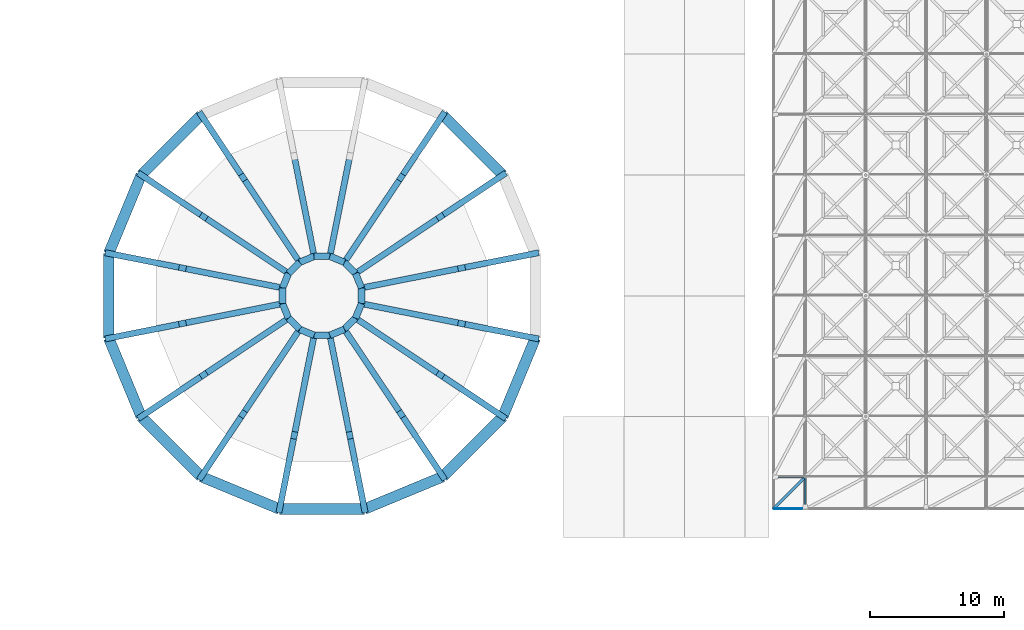
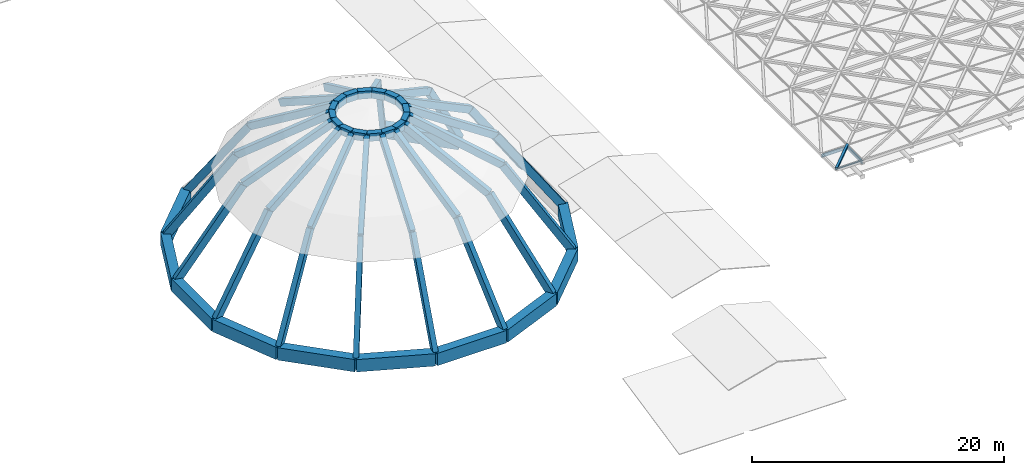
# One storey, part 1 of 80: 32 members, 29 beams, 1 element without a shape of its own.
"""IFC4 building model written with IfcOpenShell, lengths in metres."""

from ifc_helpers import new_model, si_unit, direction, frame, origin, origin_2d, place, context, subcontext, project, spatial, rectangle, hollow_rectangle, i_section, extrude, material, material_profile, profile_set, type_object, element, aggregate, save


model = new_model("IFC4")

# Units and contexts
model_context = context("Model", 3, precision=1e-05, world=origin(), true_north=direction((0.0, 1.0)))
body_context = subcontext(model_context, "Body", "Model", "MODEL_VIEW")
ifc_project = project(units=[si_unit("LENGTHUNIT", "METRE"), si_unit("AREAUNIT", "SQUARE_METRE"), si_unit("VOLUMEUNIT", "CUBIC_METRE"), si_unit("PLANEANGLEUNIT", "RADIAN"), si_unit("MASSUNIT", "GRAM", prefix="KILO"), si_unit("THERMODYNAMICTEMPERATUREUNIT", "KELVIN"), si_unit("POWERUNIT", "WATT")], contexts=[model_context])

# Site, building, storey
site_placement = place(None, origin())
site = spatial("IfcSite", under=ifc_project, at=site_placement, CompositionType="ELEMENT")
building_placement = place(site_placement, origin())
building = spatial("IfcBuilding", under=site, at=building_placement, Name="Tallowbark Science Centre", CompositionType="ELEMENT")
storey_placement = place(building_placement, frame((0.0, 0.0, 25.949951171875)))
storey = spatial("IfcBuildingStorey", under=building, at=storey_placement, Name="ROOF", CompositionType="ELEMENT", Elevation=25.949951171875)

# Beams
ifc_material_1 = material(Name="Concrete Grade N50 (50 MPa)", Category="concrete")
ifc_material_profile_1 = material_profile(ifc_material_1, rectangle(XDim=0.5, YDim=0.75, at=origin_2d()), Name="RC500x750")
ifc_profile_set_1 = profile_set([ifc_material_profile_1], Name="Concrete Grade N50 (50 MPa)")
beam_type_1 = type_object("IfcBeamType", Name="BM-OCU-N50", PredefinedType="SPANDREL", material=ifc_profile_set_1)
beam_1_placement = place(storey_placement, frame((25.4423828125, 18.585205078125, 7.800048828125), z_axis=(-0.382689470177, 0.923877031545, 0.0), x_axis=(-0.923877031545, -0.382689470177, 0.0)))
element("IfcBeam", 1, at=beam_1_placement, inside=storey, type_object=beam_type_1, Name="Dome Oculus Ring 1", PredefinedType="SPANDREL", context=body_context, shape_type="SweptSolid", body=[
    extrude(rectangle(XDim=0.5, YDim=0.75, at=origin_2d()), origin(), (0.0, 0.0, 1.0), 1.170654296875),
])
beam_2_placement = place(storey_placement, frame((24.994384765625, 19.666748046875, 7.800048828125), z_axis=(-0.707106781187, 0.707106781187, 0.0), x_axis=(-0.707106781187, -0.707106781187, 0.0)))
element("IfcBeam", 2, at=beam_2_placement, inside=storey, type_object=beam_type_1, Name="Dome Oculus Ring 2", PredefinedType="SPANDREL", context=body_context, shape_type="SweptSolid", body=[
    extrude(rectangle(XDim=0.5, YDim=0.75, at=origin_2d()), origin(), (0.0, 0.0, 1.0), 1.17041015625),
])
beam_3_placement = place(storey_placement, frame((24.166748046875, 20.494384765625, 7.800048828125), z_axis=(-0.923877031545, 0.382689470177, 0.0), x_axis=(-0.382689470177, -0.923877031545, 0.0)))
element("IfcBeam", 3, at=beam_3_placement, inside=storey, type_object=beam_type_1, Name="Dome Oculus Ring 3", PredefinedType="SPANDREL", context=body_context, shape_type="SweptSolid", body=[
    extrude(rectangle(XDim=0.5, YDim=0.75, at=origin_2d()), origin(), (0.0, 0.0, 1.0), 1.170654296875),
])
beam_4_placement = place(storey_placement, frame((23.085205078125, 20.9423828125, 7.800048828125), z_axis=(-1.0, 0.0, 0.0), x_axis=(0.0, -1.0, 0.0)))
element("IfcBeam", 4, at=beam_4_placement, inside=storey, type_object=beam_type_1, Name="Dome Oculus Ring 4", PredefinedType="SPANDREL", context=body_context, shape_type="SweptSolid", body=[
    extrude(rectangle(XDim=0.5, YDim=0.75, at=origin_2d()), origin(), (0.0, 0.0, 1.0), 1.17041015625),
])
beam_5_placement = place(storey_placement, frame((21.914794921875, 20.9423828125, 7.800048828125), z_axis=(-0.923877031545, -0.382689470177, 0.0), x_axis=(0.382689470177, -0.923877031545, 0.0)))
element("IfcBeam", 5, at=beam_5_placement, inside=storey, type_object=beam_type_1, Name="Dome Oculus Ring 5", PredefinedType="SPANDREL", context=body_context, shape_type="SweptSolid", body=[
    extrude(rectangle(XDim=0.5, YDim=0.75, at=origin_2d()), origin(), (0.0, 0.0, 1.0), 1.170654296875),
])
beam_6_placement = place(storey_placement, frame((20.833251953125, 20.494384765625, 7.800048828125), z_axis=(-0.707106781187, -0.707106781187, 0.0), x_axis=(0.707106781187, -0.707106781187, 0.0)))
element("IfcBeam", 6, at=beam_6_placement, inside=storey, type_object=beam_type_1, Name="Dome Oculus Ring 6", PredefinedType="SPANDREL", context=body_context, shape_type="SweptSolid", body=[
    extrude(rectangle(XDim=0.5, YDim=0.75, at=origin_2d()), origin(), (0.0, 0.0, 1.0), 1.17041015625),
])
beam_7_placement = place(storey_placement, frame((20.005615234375, 19.666748046875, 7.800048828125), z_axis=(-0.382689470177, -0.923877031545, 0.0), x_axis=(0.923877031545, -0.382689470177, 0.0)))
element("IfcBeam", 7, at=beam_7_placement, inside=storey, type_object=beam_type_1, Name="Dome Oculus Ring 7", PredefinedType="SPANDREL", context=body_context, shape_type="SweptSolid", body=[
    extrude(rectangle(XDim=0.5, YDim=0.75, at=origin_2d()), origin(), (0.0, 0.0, 1.0), 1.170654296875),
])
beam_8_placement = place(storey_placement, frame((19.5576171875, 18.585205078125, 7.800048828125), z_axis=(0.0, -1.0, 0.0), x_axis=(1.0, 0.0, 0.0)))
element("IfcBeam", 8, at=beam_8_placement, inside=storey, type_object=beam_type_1, Name="Dome Oculus Ring 8", PredefinedType="SPANDREL", context=body_context, shape_type="SweptSolid", body=[
    extrude(rectangle(XDim=0.5, YDim=0.75, at=origin_2d()), origin(), (0.0, 0.0, 1.0), 1.17041015625),
])
beam_9_placement = place(storey_placement, frame((19.5576171875, 17.414794921875, 7.800048828125), z_axis=(0.382689470177, -0.923877031545, 0.0), x_axis=(0.923877031545, 0.382689470177, 0.0)))
element("IfcBeam", 9, at=beam_9_placement, inside=storey, type_object=beam_type_1, Name="Dome Oculus Ring 9", PredefinedType="SPANDREL", context=body_context, shape_type="SweptSolid", body=[
    extrude(rectangle(XDim=0.5, YDim=0.75, at=origin_2d()), origin(), (0.0, 0.0, 1.0), 1.170654296875),
])
beam_10_placement = place(storey_placement, frame((20.005615234375, 16.333251953125, 7.800048828125), z_axis=(0.707106781187, -0.707106781187, 0.0), x_axis=(0.707106781187, 0.707106781187, 0.0)))
element("IfcBeam", 10, at=beam_10_placement, inside=storey, type_object=beam_type_1, Name="Dome Oculus Ring 10", PredefinedType="SPANDREL", context=body_context, shape_type="SweptSolid", body=[
    extrude(rectangle(XDim=0.5, YDim=0.75, at=origin_2d()), origin(), (0.0, 0.0, 1.0), 1.17041015625),
])
beam_11_placement = place(storey_placement, frame((20.833251953125, 15.505615234375, 7.800048828125), z_axis=(0.923877031545, -0.382689470177, 0.0), x_axis=(0.382689470177, 0.923877031545, 0.0)))
element("IfcBeam", 11, at=beam_11_placement, inside=storey, type_object=beam_type_1, Name="Dome Oculus Ring 11", PredefinedType="SPANDREL", context=body_context, shape_type="SweptSolid", body=[
    extrude(rectangle(XDim=0.5, YDim=0.75, at=origin_2d()), origin(), (0.0, 0.0, 1.0), 1.170654296875),
])
beam_12_placement = place(storey_placement, frame((21.914794921875, 15.0576171875, 7.800048828125), z_axis=(1.0, 0.0, 0.0), x_axis=(0.0, 1.0, 0.0)))
element("IfcBeam", 12, at=beam_12_placement, inside=storey, type_object=beam_type_1, Name="Dome Oculus Ring 12", PredefinedType="SPANDREL", context=body_context, shape_type="SweptSolid", body=[
    extrude(rectangle(XDim=0.5, YDim=0.75, at=origin_2d()), origin(), (0.0, 0.0, 1.0), 1.17041015625),
])
beam_13_placement = place(storey_placement, frame((23.085205078125, 15.0576171875, 7.800048828125), z_axis=(0.923877031545, 0.382689470177, 0.0), x_axis=(-0.382689470177, 0.923877031545, 0.0)))
element("IfcBeam", 13, at=beam_13_placement, inside=storey, type_object=beam_type_1, Name="Dome Oculus Ring 13", PredefinedType="SPANDREL", context=body_context, shape_type="SweptSolid", body=[
    extrude(rectangle(XDim=0.5, YDim=0.75, at=origin_2d()), origin(), (0.0, 0.0, 1.0), 1.170654296875),
])
beam_14_placement = place(storey_placement, frame((24.166748046875, 15.505615234375, 7.800048828125), z_axis=(0.707106781187, 0.707106781187, 0.0), x_axis=(-0.707106781187, 0.707106781187, 0.0)))
element("IfcBeam", 14, at=beam_14_placement, inside=storey, type_object=beam_type_1, Name="Dome Oculus Ring 14", PredefinedType="SPANDREL", context=body_context, shape_type="SweptSolid", body=[
    extrude(rectangle(XDim=0.5, YDim=0.75, at=origin_2d()), origin(), (0.0, 0.0, 1.0), 1.17041015625),
])
beam_15_placement = place(storey_placement, frame((24.994384765625, 16.333251953125, 7.800048828125), z_axis=(0.382689470177, 0.923877031545, 0.0), x_axis=(-0.923877031545, 0.382689470177, 0.0)))
element("IfcBeam", 15, at=beam_15_placement, inside=storey, type_object=beam_type_1, Name="Dome Oculus Ring 15", PredefinedType="SPANDREL", context=body_context, shape_type="SweptSolid", body=[
    extrude(rectangle(XDim=0.5, YDim=0.75, at=origin_2d()), origin(), (0.0, 0.0, 1.0), 1.170654296875),
])
beam_16_placement = place(storey_placement, frame((25.4423828125, 17.414794921875, 7.800048828125), z_axis=(0.0, 1.0, 0.0), x_axis=(-1.0, 0.0, 0.0)))
element("IfcBeam", 16, at=beam_16_placement, inside=storey, type_object=beam_type_1, Name="Dome Oculus Ring 16", PredefinedType="SPANDREL", context=body_context, shape_type="SweptSolid", body=[
    extrude(rectangle(XDim=0.5, YDim=0.75, at=origin_2d()), origin(), (0.0, 0.0, 1.0), 1.17041015625),
])
ifc_material_2 = material(Name="White Architectural Painted Steel Grade C350L0 (350 MPa)", Category="steel")
ifc_material_profile_2 = material_profile(ifc_material_2, i_section(OverallWidth=0.146484375, OverallDepth=0.256103515625, WebThickness=0.00634765625, FlangeThickness=0.010986328125, FilletRadius=0.0087890625, at=origin_2d()), Name="250UB37.3")
ifc_profile_set_2 = profile_set([ifc_material_profile_2], Name="White Architectural Painted Steel Grade C350L0 (350 MPa)")
beam_type_2 = type_object("IfcBeamType", Name="BM-OUT250", PredefinedType="BEAM", material=ifc_profile_set_2)
for number, where, z_axis, x_axis, name in (
    (17, (58.5, 4.5, 0.199951171875), (0.0, -1.0, 0.0), (1.0, 0.0, 0.0), "Star Screen Outrigger Tie Beam S-101"),
    (18, (58.5, 4.5, 0.199951171875), (-1.0, 0.0, 0.0), (0.0, -1.0, 0.0), "Star Screen Outrigger Tie Beam W-113"),
):
    element("IfcBeam", number, at=place(storey_placement, frame(where, z_axis=z_axis, x_axis=x_axis)), inside=storey, type_object=beam_type_2, Name=name, PredefinedType="BEAM", context=body_context, shape_type="SweptSolid", body=[
        extrude(i_section(OverallWidth=0.146484375, OverallDepth=0.256103515625, WebThickness=0.00634765625, FlangeThickness=0.010986328125, FilletRadius=0.0087890625, at=origin_2d()), origin(), (0.0, 0.0, 1.0), 2.39990234375),
    ])
ifc_material_profile_3 = material_profile(ifc_material_1, rectangle(XDim=0.800048828125, YDim=1.199951171875, at=origin_2d()), Name="RC800x1200")
ifc_profile_set_3 = profile_set([ifc_material_profile_3], Name="Concrete Grade N50 (50 MPa)")
beam_type_3 = type_object("IfcBeamType", Name="BM-RING-N50", PredefinedType="SPANDREL", material=ifc_profile_set_3)
for number, where, z_axis, x_axis, name in (
    (19, (35.9697265625, 27.000244140625, -4.949951171875), (-0.707106781187, 0.707106781187, 0.0), (-0.707106781187, -0.707106781187, 0.0), "Planetarium Ring Beam ROOF-2"),
    (20, (13.499755859375, 31.4697265625, -4.949951171875), (-0.707106781187, -0.707106781187, 0.0), (0.707106781187, -0.707106781187, 0.0), "Planetarium Ring Beam ROOF-6"),
):
    element("IfcBeam", number, at=place(storey_placement, frame(where, z_axis=z_axis, x_axis=x_axis)), inside=storey, type_object=beam_type_3, Name=name, PredefinedType="SPANDREL", context=body_context, shape_type="SweptSolid", body=[
        extrude(rectangle(XDim=0.800048828125, YDim=1.199951171875, at=origin_2d()), origin(), (0.0, 0.0, 1.0), 6.32080078125),
    ])
beam_17_placement = place(storey_placement, frame((9.0302734375, 27.000244140625, -4.949951171875), z_axis=(-0.382683814393, -0.92387937427, 0.0), x_axis=(0.92387937427, -0.382683814393, 0.0)))
element("IfcBeam", 21, at=beam_17_placement, inside=storey, type_object=beam_type_3, Name="Planetarium Ring Beam ROOF-7", PredefinedType="SPANDREL", context=body_context, shape_type="SweptSolid", body=[
    extrude(rectangle(XDim=0.800048828125, YDim=1.199951171875, at=origin_2d()), origin(), (0.0, 0.0, 1.0), 6.321044921875),
])
beam_18_placement = place(storey_placement, frame((6.611328125, 21.160400390625, -4.949951171875), z_axis=(0.0, -1.0, 0.0), x_axis=(1.0, 0.0, 0.0)))
element("IfcBeam", 22, at=beam_18_placement, inside=storey, type_object=beam_type_3, Name="Planetarium Ring Beam ROOF-8", PredefinedType="SPANDREL", context=body_context, shape_type="SweptSolid", body=[
    extrude(rectangle(XDim=0.800048828125, YDim=1.199951171875, at=origin_2d()), origin(), (0.0, 0.0, 1.0), 6.32080078125),
])
beam_19_placement = place(storey_placement, frame((6.611328125, 14.839599609375, -4.949951171875), z_axis=(0.382683814393, -0.92387937427, 0.0), x_axis=(0.92387937427, 0.382683814393, 0.0)))
element("IfcBeam", 23, at=beam_19_placement, inside=storey, type_object=beam_type_3, Name="Planetarium Ring Beam ROOF-9", PredefinedType="SPANDREL", context=body_context, shape_type="SweptSolid", body=[
    extrude(rectangle(XDim=0.800048828125, YDim=1.199951171875, at=origin_2d()), origin(), (0.0, 0.0, 1.0), 6.321044921875),
])
beam_20_placement = place(storey_placement, frame((9.0302734375, 8.999755859375, -4.949951171875), z_axis=(0.707106781187, -0.707106781187, 0.0), x_axis=(0.707106781187, 0.707106781187, 0.0)))
element("IfcBeam", 24, at=beam_20_placement, inside=storey, type_object=beam_type_3, Name="Planetarium Ring Beam ROOF-10", PredefinedType="SPANDREL", context=body_context, shape_type="SweptSolid", body=[
    extrude(rectangle(XDim=0.800048828125, YDim=1.199951171875, at=origin_2d()), origin(), (0.0, 0.0, 1.0), 6.32080078125),
])
beam_21_placement = place(storey_placement, frame((13.499755859375, 4.5302734375, -4.949951171875), z_axis=(0.92387937427, -0.382683814393, 0.0), x_axis=(0.382683814393, 0.92387937427, 0.0)))
element("IfcBeam", 25, at=beam_21_placement, inside=storey, type_object=beam_type_3, Name="Planetarium Ring Beam ROOF-11", PredefinedType="SPANDREL", context=body_context, shape_type="SweptSolid", body=[
    extrude(rectangle(XDim=0.800048828125, YDim=1.199951171875, at=origin_2d()), origin(), (0.0, 0.0, 1.0), 6.321044921875),
])
beam_22_placement = place(storey_placement, frame((19.339599609375, 2.111328125, -4.949951171875), z_axis=(1.0, 0.0, 0.0), x_axis=(0.0, 1.0, 0.0)))
element("IfcBeam", 26, at=beam_22_placement, inside=storey, type_object=beam_type_3, Name="Planetarium Ring Beam ROOF-12", PredefinedType="SPANDREL", context=body_context, shape_type="SweptSolid", body=[
    extrude(rectangle(XDim=0.800048828125, YDim=1.199951171875, at=origin_2d()), origin(), (0.0, 0.0, 1.0), 6.32080078125),
])
beam_23_placement = place(storey_placement, frame((25.660400390625, 2.111328125, -4.949951171875), z_axis=(0.92387937427, 0.382683814393, 0.0), x_axis=(-0.382683814393, 0.92387937427, 0.0)))
element("IfcBeam", 27, at=beam_23_placement, inside=storey, type_object=beam_type_3, Name="Planetarium Ring Beam ROOF-13", PredefinedType="SPANDREL", context=body_context, shape_type="SweptSolid", body=[
    extrude(rectangle(XDim=0.800048828125, YDim=1.199951171875, at=origin_2d()), origin(), (0.0, 0.0, 1.0), 6.321044921875),
])
beam_24_placement = place(storey_placement, frame((31.500244140625, 4.5302734375, -4.949951171875), z_axis=(0.707106781187, 0.707106781187, 0.0), x_axis=(-0.707106781187, 0.707106781187, 0.0)))
element("IfcBeam", 28, at=beam_24_placement, inside=storey, type_object=beam_type_3, Name="Planetarium Ring Beam ROOF-14", PredefinedType="SPANDREL", context=body_context, shape_type="SweptSolid", body=[
    extrude(rectangle(XDim=0.800048828125, YDim=1.199951171875, at=origin_2d()), origin(), (0.0, 0.0, 1.0), 6.32080078125),
])
beam_25_placement = place(storey_placement, frame((35.9697265625, 8.999755859375, -4.949951171875), z_axis=(0.382683814393, 0.92387937427, 0.0), x_axis=(-0.92387937427, 0.382683814393, 0.0)))
element("IfcBeam", 29, at=beam_25_placement, inside=storey, type_object=beam_type_3, Name="Planetarium Ring Beam ROOF-15", PredefinedType="SPANDREL", context=body_context, shape_type="SweptSolid", body=[
    extrude(rectangle(XDim=0.800048828125, YDim=1.199951171875, at=origin_2d()), origin(), (0.0, 0.0, 1.0), 6.321044921875),
])

# Curtain wall, member
ifc_material_3 = material(Name="Blue-Tinted Laminated Low-E Skylight Glass", Category="glass")
curtain_wall_type = type_object("IfcCurtainWallType", Name="CW-SKY-ROOF", PredefinedType="NOTDEFINED", material=ifc_material_3)
curtain_wall_placement = place(storey_placement, origin())
curtain_wall = element("IfcCurtainWall", 30, at=curtain_wall_placement, inside=storey, type_object=curtain_wall_type, Name="Exhibition Star-Screen Skylight Bay 1", PredefinedType="NOTDEFINED")
ifc_material_4 = material(Name="Anodised Architectural Aluminium Alloy 6063-T6", Category="aluminium")
ifc_material_profile_4 = material_profile(ifc_material_4, rectangle(XDim=0.054931640625, YDim=0.1201171875, at=origin_2d()), Name="ALU55x120")
ifc_profile_set_4 = profile_set([ifc_material_profile_4], Name="Anodised Architectural Aluminium Alloy 6063-T6")
member_type_1 = type_object("IfcMemberType", Name="CWM-SKY-TRN", PredefinedType="USERDEFINED", material=ifc_profile_set_4)
member_1_placement = place(storey_placement, frame((56.179931640625, 2.139892578125, 0.35205078125), z_axis=(1.0, 0.0, 0.0), x_axis=(0.0, 1.0, 0.0)))
member_1 = element("IfcMember", 31, at=member_1_placement, type_object=member_type_1, Name="Skylight Bay 1 Transom 1", ObjectType="TRANSOM", PredefinedType="USERDEFINED", context=body_context, shape_type="SweptSolid", body=[
    extrude(rectangle(XDim=0.054931640625, YDim=0.1201171875, at=origin_2d()), origin(), (0.0, 0.0, 1.0), 2.239990234375),
])
aggregate(curtain_wall, [member_1])

# Members
ifc_material_profile_5 = material_profile(ifc_material_1, rectangle(XDim=0.449951171875, YDim=0.64990234375, at=origin_2d()), Name="RC450x650")
ifc_profile_set_5 = profile_set([ifc_material_profile_5], Name="Concrete Grade N50 (50 MPa)")
member_type_2 = type_object("IfcMemberType", Name="DOM-RIB-N50", PredefinedType="USERDEFINED", material=ifc_profile_set_5)
member_2_placement = place(storey_placement, frame((38.388671875, 21.160400390625, -4.64990234375), z_axis=(-0.557763799066, -0.110947815301, 0.822550987314), x_axis=(0.195093193483, -0.980784709228, 0.0)))
element("IfcMember", 32, at=member_2_placement, inside=storey, type_object=member_type_2, Name="Planetarium Concrete Arch Rib Lower 1", ObjectType="ARCH RIB", PredefinedType="USERDEFINED", context=body_context, shape_type="SweptSolid", body=[
    extrude(rectangle(XDim=0.449951171875, YDim=0.64990234375, at=origin_2d()), origin(), (0.0, 0.0, 1.0), 9.84716796875),
])
member_3_placement = place(storey_placement, frame((32.896240234375, 20.06787109375, 3.449951171875), z_axis=(-0.851207396881, -0.169315859987, 0.496767659023), x_axis=(0.195090523233, -0.980785240379, 0.0)))
element("IfcMember", 33, at=member_3_placement, inside=storey, type_object=member_type_2, Name="Planetarium Concrete Arch Rib Upper 1", ObjectType="ARCH RIB", PredefinedType="USERDEFINED", context=body_context, shape_type="SweptSolid", body=[
    extrude(rectangle(XDim=0.449951171875, YDim=0.64990234375, at=origin_2d()), origin(), (0.0, 0.0, 1.0), 8.7568359375),
])
member_4_placement = place(storey_placement, frame((35.9697265625, 27.000244140625, -4.64990234375), z_axis=(-0.47285067023, -0.315936246369, 0.822554880779), x_axis=(0.555555072865, -0.831479741794, 0.0)))
element("IfcMember", 34, at=member_4_placement, inside=storey, type_object=member_type_2, Name="Planetarium Concrete Arch Rib Lower 2", ObjectType="ARCH RIB", PredefinedType="USERDEFINED", context=body_context, shape_type="SweptSolid", body=[
    extrude(rectangle(XDim=0.449951171875, YDim=0.64990234375, at=origin_2d()), origin(), (0.0, 0.0, 1.0), 9.84716796875),
])
member_5_placement = place(storey_placement, frame((31.3134765625, 23.88916015625, 3.449951171875), z_axis=(-0.721614113015, -0.482181975992, 0.496763136642), x_axis=(0.555582054907, -0.831461713048, 0.0)))
element("IfcMember", 35, at=member_5_placement, inside=storey, type_object=member_type_2, Name="Planetarium Concrete Arch Rib Upper 2", ObjectType="ARCH RIB", PredefinedType="USERDEFINED", context=body_context, shape_type="SweptSolid", body=[
    extrude(rectangle(XDim=0.449951171875, YDim=0.64990234375, at=origin_2d()), origin(), (0.0, 0.0, 1.0), 8.7568359375),
])
member_6_placement = place(storey_placement, frame((31.500244140625, 31.4697265625, -4.64990234375), z_axis=(-0.315936246369, -0.47285067023, 0.822554880779), x_axis=(0.831479741794, -0.555555072865, 0.0)))
element("IfcMember", 36, at=member_6_placement, inside=storey, type_object=member_type_2, Name="Planetarium Concrete Arch Rib Lower 3", ObjectType="ARCH RIB", PredefinedType="USERDEFINED", context=body_context, shape_type="SweptSolid", body=[
    extrude(rectangle(XDim=0.449951171875, YDim=0.64990234375, at=origin_2d()), origin(), (0.0, 0.0, 1.0), 9.84716796875),
])
for number, where, z_axis, x_axis, name in (
    (37, (28.38916015625, 26.8134765625, 3.449951171875), (-0.482181975992, -0.721614113015, 0.496763136642), (0.831461713048, -0.555582054907, 0.0), "Planetarium Concrete Arch Rib Upper 3"),
    (38, (24.56787109375, 28.396240234375, 3.449951171875), (-0.169315859987, -0.851207396881, 0.496767659023), (0.980785240379, -0.195090523233, 0.0), "Planetarium Concrete Arch Rib Upper 4"),
    (39, (20.43212890625, 28.396240234375, 3.449951171875), (0.169315859987, -0.851207396881, 0.496767659023), (0.980785240379, 0.195090523233, 0.0), "Planetarium Concrete Arch Rib Upper 5"),
):
    element("IfcMember", number, at=place(storey_placement, frame(where, z_axis=z_axis, x_axis=x_axis)), inside=storey, type_object=member_type_2, Name=name, ObjectType="ARCH RIB", PredefinedType="USERDEFINED", context=body_context, shape_type="SweptSolid", body=[
        extrude(rectangle(XDim=0.449951171875, YDim=0.64990234375, at=origin_2d()), origin(), (0.0, 0.0, 1.0), 8.7568359375),
    ])
member_7_placement = place(storey_placement, frame((13.499755859375, 31.4697265625, -4.64990234375), z_axis=(0.315936246369, -0.47285067023, 0.822554880779), x_axis=(0.831479741794, 0.555555072865, 0.0)))
element("IfcMember", 40, at=member_7_placement, inside=storey, type_object=member_type_2, Name="Planetarium Concrete Arch Rib Lower 6", ObjectType="ARCH RIB", PredefinedType="USERDEFINED", context=body_context, shape_type="SweptSolid", body=[
    extrude(rectangle(XDim=0.449951171875, YDim=0.64990234375, at=origin_2d()), origin(), (0.0, 0.0, 1.0), 9.84716796875),
])
member_8_placement = place(storey_placement, frame((16.61083984375, 26.8134765625, 3.449951171875), z_axis=(0.482181975992, -0.721614113015, 0.496763136642), x_axis=(0.831461713048, 0.555582054907, 0.0)))
element("IfcMember", 41, at=member_8_placement, inside=storey, type_object=member_type_2, Name="Planetarium Concrete Arch Rib Upper 6", ObjectType="ARCH RIB", PredefinedType="USERDEFINED", context=body_context, shape_type="SweptSolid", body=[
    extrude(rectangle(XDim=0.449951171875, YDim=0.64990234375, at=origin_2d()), origin(), (0.0, 0.0, 1.0), 8.7568359375),
])
member_9_placement = place(storey_placement, frame((9.0302734375, 27.000244140625, -4.64990234375), z_axis=(0.47285067023, -0.315936246369, 0.822554880779), x_axis=(0.555555072865, 0.831479741794, 0.0)))
element("IfcMember", 42, at=member_9_placement, inside=storey, type_object=member_type_2, Name="Planetarium Concrete Arch Rib Lower 7", ObjectType="ARCH RIB", PredefinedType="USERDEFINED", context=body_context, shape_type="SweptSolid", body=[
    extrude(rectangle(XDim=0.449951171875, YDim=0.64990234375, at=origin_2d()), origin(), (0.0, 0.0, 1.0), 9.84716796875),
])
member_10_placement = place(storey_placement, frame((13.6865234375, 23.88916015625, 3.449951171875), z_axis=(0.721614113015, -0.482181975992, 0.496763136642), x_axis=(0.555582054907, 0.831461713048, 0.0)))
element("IfcMember", 43, at=member_10_placement, inside=storey, type_object=member_type_2, Name="Planetarium Concrete Arch Rib Upper 7", ObjectType="ARCH RIB", PredefinedType="USERDEFINED", context=body_context, shape_type="SweptSolid", body=[
    extrude(rectangle(XDim=0.449951171875, YDim=0.64990234375, at=origin_2d()), origin(), (0.0, 0.0, 1.0), 8.7568359375),
])
member_11_placement = place(storey_placement, frame((6.611328125, 21.160400390625, -4.64990234375), z_axis=(0.557763799066, -0.110947815301, 0.822550987314), x_axis=(0.195093193483, 0.980784709228, 0.0)))
element("IfcMember", 44, at=member_11_placement, inside=storey, type_object=member_type_2, Name="Planetarium Concrete Arch Rib Lower 8", ObjectType="ARCH RIB", PredefinedType="USERDEFINED", context=body_context, shape_type="SweptSolid", body=[
    extrude(rectangle(XDim=0.449951171875, YDim=0.64990234375, at=origin_2d()), origin(), (0.0, 0.0, 1.0), 9.84716796875),
])
member_12_placement = place(storey_placement, frame((12.103759765625, 20.06787109375, 3.449951171875), z_axis=(0.851207396881, -0.169315859987, 0.496767659023), x_axis=(0.195090523233, 0.980785240379, 0.0)))
element("IfcMember", 45, at=member_12_placement, inside=storey, type_object=member_type_2, Name="Planetarium Concrete Arch Rib Upper 8", ObjectType="ARCH RIB", PredefinedType="USERDEFINED", context=body_context, shape_type="SweptSolid", body=[
    extrude(rectangle(XDim=0.449951171875, YDim=0.64990234375, at=origin_2d()), origin(), (0.0, 0.0, 1.0), 8.7568359375),
])
member_13_placement = place(storey_placement, frame((6.611328125, 14.839599609375, -4.64990234375), z_axis=(0.557763799066, 0.110947815301, 0.822550987314), x_axis=(-0.195093193483, 0.980784709228, 0.0)))
element("IfcMember", 46, at=member_13_placement, inside=storey, type_object=member_type_2, Name="Planetarium Concrete Arch Rib Lower 9", ObjectType="ARCH RIB", PredefinedType="USERDEFINED", context=body_context, shape_type="SweptSolid", body=[
    extrude(rectangle(XDim=0.449951171875, YDim=0.64990234375, at=origin_2d()), origin(), (0.0, 0.0, 1.0), 9.84716796875),
])
member_14_placement = place(storey_placement, frame((12.103759765625, 15.93212890625, 3.449951171875), z_axis=(0.851207396881, 0.169315859987, 0.496767659023), x_axis=(-0.195090523233, 0.980785240379, 0.0)))
element("IfcMember", 47, at=member_14_placement, inside=storey, type_object=member_type_2, Name="Planetarium Concrete Arch Rib Upper 9", ObjectType="ARCH RIB", PredefinedType="USERDEFINED", context=body_context, shape_type="SweptSolid", body=[
    extrude(rectangle(XDim=0.449951171875, YDim=0.64990234375, at=origin_2d()), origin(), (0.0, 0.0, 1.0), 8.7568359375),
])
member_15_placement = place(storey_placement, frame((9.0302734375, 8.999755859375, -4.64990234375), z_axis=(0.47285067023, 0.315936246369, 0.822554880779), x_axis=(-0.555555072865, 0.831479741794, 0.0)))
element("IfcMember", 48, at=member_15_placement, inside=storey, type_object=member_type_2, Name="Planetarium Concrete Arch Rib Lower 10", ObjectType="ARCH RIB", PredefinedType="USERDEFINED", context=body_context, shape_type="SweptSolid", body=[
    extrude(rectangle(XDim=0.449951171875, YDim=0.64990234375, at=origin_2d()), origin(), (0.0, 0.0, 1.0), 9.84716796875),
])
member_16_placement = place(storey_placement, frame((13.6865234375, 12.11083984375, 3.449951171875), z_axis=(0.721614113015, 0.482181975992, 0.496763136642), x_axis=(-0.555582054907, 0.831461713048, 0.0)))
element("IfcMember", 49, at=member_16_placement, inside=storey, type_object=member_type_2, Name="Planetarium Concrete Arch Rib Upper 10", ObjectType="ARCH RIB", PredefinedType="USERDEFINED", context=body_context, shape_type="SweptSolid", body=[
    extrude(rectangle(XDim=0.449951171875, YDim=0.64990234375, at=origin_2d()), origin(), (0.0, 0.0, 1.0), 8.7568359375),
])
member_17_placement = place(storey_placement, frame((13.499755859375, 4.5302734375, -4.64990234375), z_axis=(0.315936246369, 0.47285067023, 0.822554880779), x_axis=(-0.831479741794, 0.555555072865, 0.0)))
element("IfcMember", 50, at=member_17_placement, inside=storey, type_object=member_type_2, Name="Planetarium Concrete Arch Rib Lower 11", ObjectType="ARCH RIB", PredefinedType="USERDEFINED", context=body_context, shape_type="SweptSolid", body=[
    extrude(rectangle(XDim=0.449951171875, YDim=0.64990234375, at=origin_2d()), origin(), (0.0, 0.0, 1.0), 9.84716796875),
])
member_18_placement = place(storey_placement, frame((16.61083984375, 9.1865234375, 3.449951171875), z_axis=(0.482181975992, 0.721614113015, 0.496763136642), x_axis=(-0.831461713048, 0.555582054907, 0.0)))
element("IfcMember", 51, at=member_18_placement, inside=storey, type_object=member_type_2, Name="Planetarium Concrete Arch Rib Upper 11", ObjectType="ARCH RIB", PredefinedType="USERDEFINED", context=body_context, shape_type="SweptSolid", body=[
    extrude(rectangle(XDim=0.449951171875, YDim=0.64990234375, at=origin_2d()), origin(), (0.0, 0.0, 1.0), 8.7568359375),
])
member_19_placement = place(storey_placement, frame((19.339599609375, 2.111328125, -4.64990234375), z_axis=(0.110947815301, 0.557763799066, 0.822550987314), x_axis=(-0.980784709228, 0.195093193483, 0.0)))
element("IfcMember", 52, at=member_19_placement, inside=storey, type_object=member_type_2, Name="Planetarium Concrete Arch Rib Lower 12", ObjectType="ARCH RIB", PredefinedType="USERDEFINED", context=body_context, shape_type="SweptSolid", body=[
    extrude(rectangle(XDim=0.449951171875, YDim=0.64990234375, at=origin_2d()), origin(), (0.0, 0.0, 1.0), 9.84716796875),
])
member_20_placement = place(storey_placement, frame((20.43212890625, 7.603759765625, 3.449951171875), z_axis=(0.169315859987, 0.851207396881, 0.496767659023), x_axis=(-0.980785240379, 0.195090523233, 0.0)))
element("IfcMember", 53, at=member_20_placement, inside=storey, type_object=member_type_2, Name="Planetarium Concrete Arch Rib Upper 12", ObjectType="ARCH RIB", PredefinedType="USERDEFINED", context=body_context, shape_type="SweptSolid", body=[
    extrude(rectangle(XDim=0.449951171875, YDim=0.64990234375, at=origin_2d()), origin(), (0.0, 0.0, 1.0), 8.7568359375),
])
member_21_placement = place(storey_placement, frame((25.660400390625, 2.111328125, -4.64990234375), z_axis=(-0.110947815301, 0.557763799066, 0.822550987314), x_axis=(-0.980784709228, -0.195093193483, 0.0)))
element("IfcMember", 54, at=member_21_placement, inside=storey, type_object=member_type_2, Name="Planetarium Concrete Arch Rib Lower 13", ObjectType="ARCH RIB", PredefinedType="USERDEFINED", context=body_context, shape_type="SweptSolid", body=[
    extrude(rectangle(XDim=0.449951171875, YDim=0.64990234375, at=origin_2d()), origin(), (0.0, 0.0, 1.0), 9.84716796875),
])
member_22_placement = place(storey_placement, frame((24.56787109375, 7.603759765625, 3.449951171875), z_axis=(-0.169315859987, 0.851207396881, 0.496767659023), x_axis=(-0.980785240379, -0.195090523233, 0.0)))
element("IfcMember", 55, at=member_22_placement, inside=storey, type_object=member_type_2, Name="Planetarium Concrete Arch Rib Upper 13", ObjectType="ARCH RIB", PredefinedType="USERDEFINED", context=body_context, shape_type="SweptSolid", body=[
    extrude(rectangle(XDim=0.449951171875, YDim=0.64990234375, at=origin_2d()), origin(), (0.0, 0.0, 1.0), 8.7568359375),
])
member_23_placement = place(storey_placement, frame((31.500244140625, 4.5302734375, -4.64990234375), z_axis=(-0.315936246369, 0.47285067023, 0.822554880779), x_axis=(-0.831479741794, -0.555555072865, 0.0)))
element("IfcMember", 56, at=member_23_placement, inside=storey, type_object=member_type_2, Name="Planetarium Concrete Arch Rib Lower 14", ObjectType="ARCH RIB", PredefinedType="USERDEFINED", context=body_context, shape_type="SweptSolid", body=[
    extrude(rectangle(XDim=0.449951171875, YDim=0.64990234375, at=origin_2d()), origin(), (0.0, 0.0, 1.0), 9.84716796875),
])
member_24_placement = place(storey_placement, frame((28.38916015625, 9.1865234375, 3.449951171875), z_axis=(-0.482181975992, 0.721614113015, 0.496763136642), x_axis=(-0.831461713048, -0.555582054907, 0.0)))
element("IfcMember", 57, at=member_24_placement, inside=storey, type_object=member_type_2, Name="Planetarium Concrete Arch Rib Upper 14", ObjectType="ARCH RIB", PredefinedType="USERDEFINED", context=body_context, shape_type="SweptSolid", body=[
    extrude(rectangle(XDim=0.449951171875, YDim=0.64990234375, at=origin_2d()), origin(), (0.0, 0.0, 1.0), 8.7568359375),
])
member_25_placement = place(storey_placement, frame((35.9697265625, 8.999755859375, -4.64990234375), z_axis=(-0.47285067023, 0.315936246369, 0.822554880779), x_axis=(-0.555555072865, -0.831479741794, 0.0)))
element("IfcMember", 58, at=member_25_placement, inside=storey, type_object=member_type_2, Name="Planetarium Concrete Arch Rib Lower 15", ObjectType="ARCH RIB", PredefinedType="USERDEFINED", context=body_context, shape_type="SweptSolid", body=[
    extrude(rectangle(XDim=0.449951171875, YDim=0.64990234375, at=origin_2d()), origin(), (0.0, 0.0, 1.0), 9.84716796875),
])
member_26_placement = place(storey_placement, frame((31.3134765625, 12.11083984375, 3.449951171875), z_axis=(-0.721614113015, 0.482181975992, 0.496763136642), x_axis=(-0.555582054907, -0.831461713048, 0.0)))
element("IfcMember", 59, at=member_26_placement, inside=storey, type_object=member_type_2, Name="Planetarium Concrete Arch Rib Upper 15", ObjectType="ARCH RIB", PredefinedType="USERDEFINED", context=body_context, shape_type="SweptSolid", body=[
    extrude(rectangle(XDim=0.449951171875, YDim=0.64990234375, at=origin_2d()), origin(), (0.0, 0.0, 1.0), 8.7568359375),
])
member_27_placement = place(storey_placement, frame((38.388671875, 14.839599609375, -4.64990234375), z_axis=(-0.557763799066, 0.110947815301, 0.822550987314), x_axis=(-0.195093193483, -0.980784709228, 0.0)))
element("IfcMember", 60, at=member_27_placement, inside=storey, type_object=member_type_2, Name="Planetarium Concrete Arch Rib Lower 16", ObjectType="ARCH RIB", PredefinedType="USERDEFINED", context=body_context, shape_type="SweptSolid", body=[
    extrude(rectangle(XDim=0.449951171875, YDim=0.64990234375, at=origin_2d()), origin(), (0.0, 0.0, 1.0), 9.84716796875),
])
member_28_placement = place(storey_placement, frame((32.896240234375, 15.93212890625, 3.449951171875), z_axis=(-0.851207396881, 0.169315859987, 0.496767659023), x_axis=(-0.195090523233, -0.980785240379, 0.0)))
element("IfcMember", 61, at=member_28_placement, inside=storey, type_object=member_type_2, Name="Planetarium Concrete Arch Rib Upper 16", ObjectType="ARCH RIB", PredefinedType="USERDEFINED", context=body_context, shape_type="SweptSolid", body=[
    extrude(rectangle(XDim=0.449951171875, YDim=0.64990234375, at=origin_2d()), origin(), (0.0, 0.0, 1.0), 8.7568359375),
])
ifc_material_profile_6 = material_profile(ifc_material_2, hollow_rectangle(XDim=0.199951171875, YDim=0.199951171875, WallThickness=0.009033203125, at=origin_2d()), Name="200x200x9.0SHS")
ifc_profile_set_6 = profile_set([ifc_material_profile_6], Name="White Architectural Painted Steel Grade C350L0 (350 MPa)")
member_type_3 = type_object("IfcMemberType", Name="SCR-STAR139", PredefinedType="BRACE", material=ifc_profile_set_6)
member_29_placement = place(storey_placement, frame((56.10009765625, 2.10009765625, 0.449951171875), z_axis=(0.707106781187, 0.707106781187, 0.0), x_axis=(-0.707106781187, 0.707106781187, 0.0)))
element("IfcMember", 62, at=member_29_placement, inside=storey, type_object=member_type_3, Name="Top Perimeter Gap Star Diagonal 1-1", PredefinedType="BRACE", context=body_context, shape_type="SweptSolid", body=[
    extrude(hollow_rectangle(XDim=0.199951171875, YDim=0.199951171875, WallThickness=0.009033203125, at=origin_2d()), origin(), (0.0, 0.0, 1.0), 3.39404296875),
])

save(model, "model.ifc")
